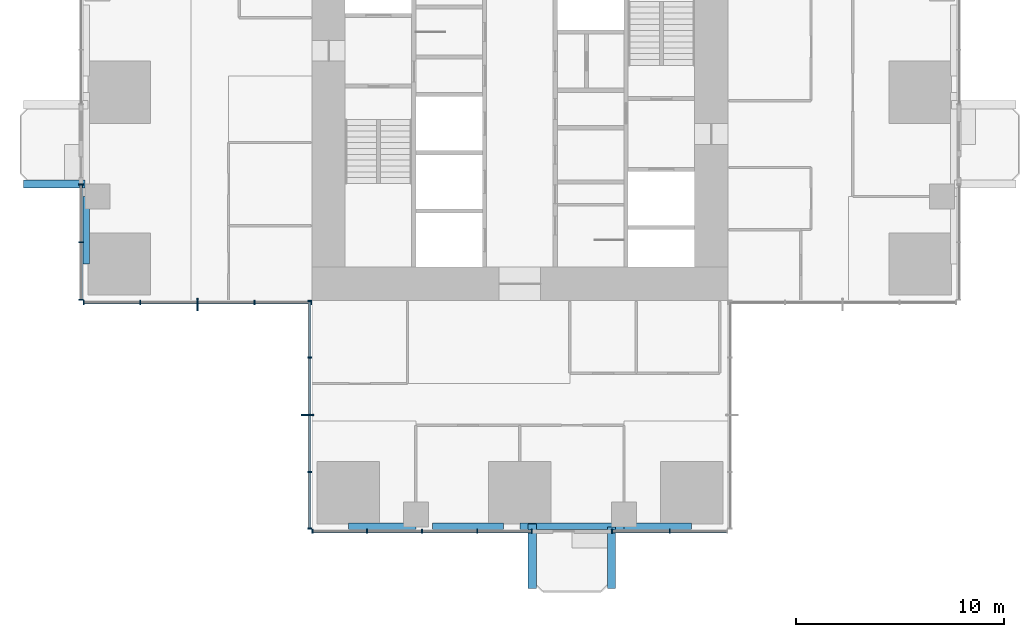
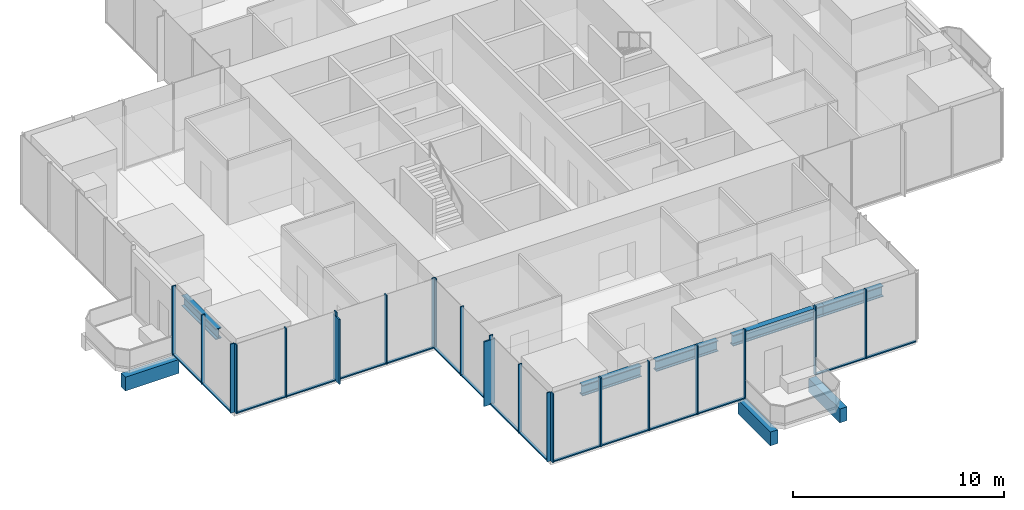
# One storey, part 2 of 13: 38 members, 8 beams, 5 elements without a shape of their own.
"""IFC4 building model written with IfcOpenShell, lengths in metres."""

from ifc_helpers import new_model, si_unit, direction, frame, origin, origin_2d, place, context, subcontext, project, spatial, rectangle, i_section, extrude, material, material_profile, profile_set, type_object, element, aggregate, save


model = new_model("IFC4")

# Units and contexts
model_context = context("Model", 3, precision=1e-05, world=origin(), true_north=direction((0.0, 1.0)))
body_context = subcontext(model_context, "Body", "Model", "MODEL_VIEW")
ifc_project = project(units=[si_unit("LENGTHUNIT", "METRE"), si_unit("AREAUNIT", "SQUARE_METRE"), si_unit("VOLUMEUNIT", "CUBIC_METRE"), si_unit("PLANEANGLEUNIT", "RADIAN"), si_unit("MASSUNIT", "GRAM", prefix="KILO")], contexts=[model_context])

# Site, building, storey
site_placement = place(None, origin())
site = spatial("IfcSite", under=ifc_project, at=site_placement, CompositionType="ELEMENT")
building_placement = place(site_placement, origin())
building = spatial("IfcBuilding", under=site, at=building_placement, Name="Svetlomir Tower", CompositionType="ELEMENT")
storey_placement = place(building_placement, frame((0.0, 0.0, 120.5)))
storey = spatial("IfcBuildingStorey", under=building, at=storey_placement, Name="L28", CompositionType="ELEMENT", Elevation=120.5)

# Beams
ifc_material_1 = material(Name="Concrete C60/75", Category="concrete")
ifc_material_profile_1 = material_profile(ifc_material_1, rectangle(XDim=0.39990234375, YDim=0.800048828125, at=origin_2d()), Name="RC 400x800")
ifc_profile_set_1 = profile_set([ifc_material_profile_1], Name="Concrete C60/75")
beam_type_1 = type_object("IfcBeamType", Name="BALCONY RIB RC 400x800", PredefinedType="BEAM", material=ifc_profile_set_1)
beam_1_placement = place(storey_placement, frame((21.60009765625, 0.25, -0.64990234375), z_axis=(0.0, -1.0, 0.0), x_axis=(1.0, 0.0, 0.0)))
element("IfcBeam", 1, at=beam_1_placement, inside=storey, type_object=beam_type_1, Name="Balcony rib S 1 L28", PredefinedType="BEAM", context=body_context, shape_type="SweptSolid", body=[
    extrude(rectangle(XDim=0.39990234375, YDim=0.800048828125, at=origin_2d()), origin(), (0.0, 0.0, 1.0), 3.10009765625),
])
for number, where, z_axis, x_axis, name in (
    (2, (25.39990234375, 0.10009765625, -0.64990234375), (0.0, -1.0, 0.0), (1.0, 0.0, 0.0), "Balcony rib S 2 L28"),
    (3, (0.10009765625, 16.60009765625, -0.64990234375), (-1.0, 0.0, 0.0), (0.0, -1.0, 0.0), "Balcony rib W 1 L28"),
):
    element("IfcBeam", number, at=place(storey_placement, frame(where, z_axis=z_axis, x_axis=x_axis)), inside=storey, type_object=beam_type_1, Name=name, PredefinedType="BEAM", context=body_context, shape_type="SweptSolid", body=[
        extrude(rectangle(XDim=0.39990234375, YDim=0.800048828125, at=origin_2d()), origin(), (0.0, 0.0, 1.0), 2.9501953125),
    ])

# Curtain wall, member
ifc_material_2 = material(Name="Bronze anodised aluminium curtain wall", Category="aluminium")
curtain_wall_type = type_object("IfcCurtainWallType", Name="CURTAIN WALL CW1 TOWER OFFICE", PredefinedType="NOTDEFINED", material=ifc_material_2)
curtain_wall_1_placement = place(storey_placement, origin())
curtain_wall_1 = element("IfcCurtainWall", 4, at=curtain_wall_1_placement, inside=storey, type_object=curtain_wall_type, Name="Curtain wall CW1 L28", PredefinedType="NOTDEFINED")
ifc_material_3 = material(Name="Bronze anodised aluminium", Category="aluminium")
ifc_material_profile_2 = material_profile(ifc_material_3, rectangle(XDim=0.080078125, YDim=0.60009765625, at=origin_2d()), Name="FIN 80x600")
ifc_profile_set_2 = profile_set([ifc_material_profile_2], Name="Bronze anodised aluminium 6063-T6")
member_type_1 = type_object("IfcMemberType", Name="BRONZE FIN 80x600", PredefinedType="USERDEFINED", material=ifc_profile_set_2)
member_1_placement = place(storey_placement, frame((5.5, 10.800048828125, 0.0), z_axis=(0.0, 0.0, 1.0), x_axis=(1.0, 0.0, 0.0)))
member_1 = element("IfcMember", 5, at=member_1_placement, type_object=member_type_1, Name="Bronze fin L28", ObjectType="FIN", PredefinedType="USERDEFINED", context=body_context, shape_type="SweptSolid", body=[
    extrude(rectangle(XDim=0.080078125, YDim=0.60009765625, at=origin_2d()), origin(), (0.0, 0.0, 1.0), 3.75),
])

curtain_wall_2_placement = place(storey_placement, origin())
curtain_wall_2 = element("IfcCurtainWall", 6, at=curtain_wall_2_placement, inside=storey, type_object=curtain_wall_type, Name="Curtain wall CW1 L28", PredefinedType="NOTDEFINED")
member_2_placement = place(storey_placement, frame((10.800048828125, 5.5, 0.0), z_axis=(0.0, 0.0, 1.0), x_axis=(0.0, 1.0, 0.0)))
member_2 = element("IfcMember", 7, at=member_2_placement, type_object=member_type_1, Name="Bronze fin L28", ObjectType="FIN", PredefinedType="USERDEFINED", context=body_context, shape_type="SweptSolid", body=[
    extrude(rectangle(XDim=0.080078125, YDim=0.60009765625, at=origin_2d()), origin(), (0.0, 0.0, 1.0), 3.75),
])

# Curtain wall, members
curtain_wall_3_placement = place(storey_placement, origin())
curtain_wall_3 = element("IfcCurtainWall", 8, at=curtain_wall_3_placement, inside=storey, type_object=curtain_wall_type, Name="Curtain wall CW1 L28", PredefinedType="NOTDEFINED")
ifc_material_4 = material(Name="Bronze anodised aluminium", Category="aluminium")
ifc_material_profile_3 = material_profile(ifc_material_4, rectangle(XDim=0.06494140625, YDim=0.199951171875, at=origin_2d()), Name="AL 65x200")
ifc_profile_set_3 = profile_set([ifc_material_profile_3], Name="Bronze anodised aluminium 6063-T6")
member_type_2 = type_object("IfcMemberType", Name="CW1 MULLION 65x200", PredefinedType="MULLION", material=ifc_profile_set_3)
member_3_placement = place(storey_placement, frame((11.032470703125, -0.10009765625, 0.0), z_axis=(0.0, 0.0, 1.0), x_axis=(1.0, 0.0, 0.0)))
member_3 = element("IfcMember", 9, at=member_3_placement, type_object=member_type_2, Name="CW1 mullion 1", PredefinedType="MULLION", context=body_context, shape_type="SweptSolid", body=[
    extrude(rectangle(XDim=0.06494140625, YDim=0.199951171875, at=origin_2d()), origin(), (0.0, 0.0, 1.0), 4.0),
])
member_4_placement = place(storey_placement, frame((13.64990234375, -0.10009765625, 0.0), z_axis=(0.0, 0.0, 1.0), x_axis=(1.0, 0.0, 0.0)))
member_4 = element("IfcMember", 10, at=member_4_placement, type_object=member_type_2, Name="CW1 mullion 2", PredefinedType="MULLION", context=body_context, shape_type="SweptSolid", body=[
    extrude(rectangle(XDim=0.06494140625, YDim=0.199951171875, at=origin_2d()), origin(), (0.0, 0.0, 1.0), 4.0),
])
member_5_placement = place(storey_placement, frame((16.300048828125, -0.10009765625, 0.0), z_axis=(0.0, 0.0, 1.0), x_axis=(1.0, 0.0, 0.0)))
member_5 = element("IfcMember", 11, at=member_5_placement, type_object=member_type_2, Name="CW1 mullion 3", PredefinedType="MULLION", context=body_context, shape_type="SweptSolid", body=[
    extrude(rectangle(XDim=0.06494140625, YDim=0.199951171875, at=origin_2d()), origin(), (0.0, 0.0, 1.0), 4.0),
])
member_6_placement = place(storey_placement, frame((18.949951171875, -0.10009765625, 0.0), z_axis=(0.0, 0.0, 1.0), x_axis=(1.0, 0.0, 0.0)))
member_6 = element("IfcMember", 12, at=member_6_placement, type_object=member_type_2, Name="CW1 mullion 4", PredefinedType="MULLION", context=body_context, shape_type="SweptSolid", body=[
    extrude(rectangle(XDim=0.06494140625, YDim=0.199951171875, at=origin_2d()), origin(), (0.0, 0.0, 1.0), 4.0),
])
member_7_placement = place(storey_placement, frame((21.5673828125, -0.10009765625, 0.0), z_axis=(0.0, 0.0, 1.0), x_axis=(1.0, 0.0, 0.0)))
member_7 = element("IfcMember", 13, at=member_7_placement, type_object=member_type_2, Name="CW1 mullion 5", PredefinedType="MULLION", context=body_context, shape_type="SweptSolid", body=[
    extrude(rectangle(XDim=0.06494140625, YDim=0.199951171875, at=origin_2d()), origin(), (0.0, 0.0, 1.0), 4.0),
])

curtain_wall_4_placement = place(storey_placement, origin())
curtain_wall_4 = element("IfcCurtainWall", 14, at=curtain_wall_4_placement, inside=storey, type_object=curtain_wall_type, Name="Curtain wall CW1 L28", PredefinedType="NOTDEFINED")
member_8_placement = place(storey_placement, frame((25.4326171875, -0.10009765625, 0.0), z_axis=(0.0, 0.0, 1.0), x_axis=(1.0, 0.0, 0.0)))
member_8 = element("IfcMember", 15, at=member_8_placement, type_object=member_type_2, Name="CW1 mullion 1", PredefinedType="MULLION", context=body_context, shape_type="SweptSolid", body=[
    extrude(rectangle(XDim=0.06494140625, YDim=0.199951171875, at=origin_2d()), origin(), (0.0, 0.0, 1.0), 4.0),
])
member_9_placement = place(storey_placement, frame((28.199951171875, -0.10009765625, 0.0), z_axis=(0.0, 0.0, 1.0), x_axis=(1.0, 0.0, 0.0)))
member_9 = element("IfcMember", 16, at=member_9_placement, type_object=member_type_2, Name="CW1 mullion 2", PredefinedType="MULLION", context=body_context, shape_type="SweptSolid", body=[
    extrude(rectangle(XDim=0.06494140625, YDim=0.199951171875, at=origin_2d()), origin(), (0.0, 0.0, 1.0), 4.0),
])

curtain_wall_5_placement = place(storey_placement, origin())
curtain_wall_5 = element("IfcCurtainWall", 17, at=curtain_wall_5_placement, inside=storey, type_object=curtain_wall_type, Name="Curtain wall CW1 L28", PredefinedType="NOTDEFINED")
member_10_placement = place(storey_placement, frame((-0.10009765625, 16.5673828125, 0.0), z_axis=(0.0, 0.0, 1.0), x_axis=(0.0, -1.0, 0.0)))
member_10 = element("IfcMember", 18, at=member_10_placement, type_object=member_type_2, Name="CW1 mullion 1", PredefinedType="MULLION", context=body_context, shape_type="SweptSolid", body=[
    extrude(rectangle(XDim=0.06494140625, YDim=0.199951171875, at=origin_2d()), origin(), (0.0, 0.0, 1.0), 4.0),
])
member_11_placement = place(storey_placement, frame((-0.10009765625, 13.800048828125, 0.0), z_axis=(0.0, 0.0, 1.0), x_axis=(0.0, -1.0, 0.0)))
member_11 = element("IfcMember", 19, at=member_11_placement, type_object=member_type_2, Name="CW1 mullion 2", PredefinedType="MULLION", context=body_context, shape_type="SweptSolid", body=[
    extrude(rectangle(XDim=0.06494140625, YDim=0.199951171875, at=origin_2d()), origin(), (0.0, 0.0, 1.0), 4.0),
])
member_12_placement = place(storey_placement, frame((-0.10009765625, 11.032470703125, 0.0), z_axis=(0.0, 0.0, 1.0), x_axis=(0.0, -1.0, 0.0)))
member_12 = element("IfcMember", 20, at=member_12_placement, type_object=member_type_2, Name="CW1 mullion 3", PredefinedType="MULLION", context=body_context, shape_type="SweptSolid", body=[
    extrude(rectangle(XDim=0.06494140625, YDim=0.199951171875, at=origin_2d()), origin(), (0.0, 0.0, 1.0), 4.0),
])

# Member
member_13_placement = place(storey_placement, frame((0.032470703125, 10.89990234375, 0.0), z_axis=(0.0, 0.0, 1.0), x_axis=(1.0, 0.0, 0.0)))
member_13 = element("IfcMember", 21, at=member_13_placement, type_object=member_type_2, Name="CW1 mullion 1", PredefinedType="MULLION", context=body_context, shape_type="SweptSolid", body=[
    extrude(rectangle(XDim=0.06494140625, YDim=0.199951171875, at=origin_2d()), origin(), (0.0, 0.0, 1.0), 4.0),
])

member_14_placement = place(storey_placement, frame((2.75, 10.89990234375, 0.0), z_axis=(0.0, 0.0, 1.0), x_axis=(1.0, 0.0, 0.0)))
member_14 = element("IfcMember", 22, at=member_14_placement, type_object=member_type_2, Name="CW1 mullion 2", PredefinedType="MULLION", context=body_context, shape_type="SweptSolid", body=[
    extrude(rectangle(XDim=0.06494140625, YDim=0.199951171875, at=origin_2d()), origin(), (0.0, 0.0, 1.0), 4.0),
])

member_15_placement = place(storey_placement, frame((5.5, 10.89990234375, 0.0), z_axis=(0.0, 0.0, 1.0), x_axis=(1.0, 0.0, 0.0)))
member_15 = element("IfcMember", 23, at=member_15_placement, type_object=member_type_2, Name="CW1 mullion 3", PredefinedType="MULLION", context=body_context, shape_type="SweptSolid", body=[
    extrude(rectangle(XDim=0.06494140625, YDim=0.199951171875, at=origin_2d()), origin(), (0.0, 0.0, 1.0), 4.0),
])

member_16_placement = place(storey_placement, frame((8.25, 10.89990234375, 0.0), z_axis=(0.0, 0.0, 1.0), x_axis=(1.0, 0.0, 0.0)))
member_16 = element("IfcMember", 24, at=member_16_placement, type_object=member_type_2, Name="CW1 mullion 4", PredefinedType="MULLION", context=body_context, shape_type="SweptSolid", body=[
    extrude(rectangle(XDim=0.06494140625, YDim=0.199951171875, at=origin_2d()), origin(), (0.0, 0.0, 1.0), 4.0),
])

member_17_placement = place(storey_placement, frame((10.967529296875, 10.89990234375, 0.0), z_axis=(0.0, 0.0, 1.0), x_axis=(1.0, 0.0, 0.0)))
member_17 = element("IfcMember", 25, at=member_17_placement, type_object=member_type_2, Name="CW1 mullion 5", PredefinedType="MULLION", context=body_context, shape_type="SweptSolid", body=[
    extrude(rectangle(XDim=0.06494140625, YDim=0.199951171875, at=origin_2d()), origin(), (0.0, 0.0, 1.0), 4.0),
])

member_18_placement = place(storey_placement, frame((10.89990234375, 10.967529296875, 0.0), z_axis=(0.0, 0.0, 1.0), x_axis=(0.0, -1.0, 0.0)))
member_18 = element("IfcMember", 26, at=member_18_placement, type_object=member_type_2, Name="CW1 mullion 1", PredefinedType="MULLION", context=body_context, shape_type="SweptSolid", body=[
    extrude(rectangle(XDim=0.06494140625, YDim=0.199951171875, at=origin_2d()), origin(), (0.0, 0.0, 1.0), 4.0),
])

member_19_placement = place(storey_placement, frame((10.89990234375, 8.25, 0.0), z_axis=(0.0, 0.0, 1.0), x_axis=(0.0, -1.0, 0.0)))
member_19 = element("IfcMember", 27, at=member_19_placement, type_object=member_type_2, Name="CW1 mullion 2", PredefinedType="MULLION", context=body_context, shape_type="SweptSolid", body=[
    extrude(rectangle(XDim=0.06494140625, YDim=0.199951171875, at=origin_2d()), origin(), (0.0, 0.0, 1.0), 4.0),
])

member_20_placement = place(storey_placement, frame((10.89990234375, 5.5, 0.0), z_axis=(0.0, 0.0, 1.0), x_axis=(0.0, -1.0, 0.0)))
member_20 = element("IfcMember", 28, at=member_20_placement, type_object=member_type_2, Name="CW1 mullion 3", PredefinedType="MULLION", context=body_context, shape_type="SweptSolid", body=[
    extrude(rectangle(XDim=0.06494140625, YDim=0.199951171875, at=origin_2d()), origin(), (0.0, 0.0, 1.0), 4.0),
])

member_21_placement = place(storey_placement, frame((10.89990234375, 2.75, 0.0), z_axis=(0.0, 0.0, 1.0), x_axis=(0.0, -1.0, 0.0)))
member_21 = element("IfcMember", 29, at=member_21_placement, type_object=member_type_2, Name="CW1 mullion 4", PredefinedType="MULLION", context=body_context, shape_type="SweptSolid", body=[
    extrude(rectangle(XDim=0.06494140625, YDim=0.199951171875, at=origin_2d()), origin(), (0.0, 0.0, 1.0), 4.0),
])

member_22_placement = place(storey_placement, frame((10.89990234375, 0.032470703125, 0.0), z_axis=(0.0, 0.0, 1.0), x_axis=(0.0, -1.0, 0.0)))
member_22 = element("IfcMember", 30, at=member_22_placement, type_object=member_type_2, Name="CW1 mullion 5", PredefinedType="MULLION", context=body_context, shape_type="SweptSolid", body=[
    extrude(rectangle(XDim=0.06494140625, YDim=0.199951171875, at=origin_2d()), origin(), (0.0, 0.0, 1.0), 4.0),
])

ifc_material_5 = material(Name="Bronze anodised aluminium", Category="aluminium")
ifc_material_profile_4 = material_profile(ifc_material_5, rectangle(XDim=0.139892578125, YDim=0.06494140625, at=origin_2d()), Name="AL 140x65")
ifc_profile_set_4 = profile_set([ifc_material_profile_4], Name="Bronze anodised aluminium 6063-T6")
member_type_3 = type_object("IfcMemberType", Name="CW1 TRANSOM 65x140", PredefinedType="USERDEFINED", material=ifc_profile_set_4)
member_23_placement = place(storey_placement, frame((11.06494140625, -0.10009765625, 0.032470703125), z_axis=(1.0, 0.0, 0.0), x_axis=(0.0, 1.0, 0.0)))
member_23 = element("IfcMember", 31, at=member_23_placement, type_object=member_type_3, Name="CW1 transom 1.1", ObjectType="TRANSOM", PredefinedType="USERDEFINED", context=body_context, shape_type="SweptSolid", body=[
    extrude(rectangle(XDim=0.139892578125, YDim=0.06494140625, at=origin_2d()), origin(), (0.0, 0.0, 1.0), 2.552490234375),
])

member_24_placement = place(storey_placement, frame((13.6826171875, -0.10009765625, 0.032470703125), z_axis=(1.0, 0.0, 0.0), x_axis=(0.0, 1.0, 0.0)))
member_24 = element("IfcMember", 32, at=member_24_placement, type_object=member_type_3, Name="CW1 transom 2.1", ObjectType="TRANSOM", PredefinedType="USERDEFINED", context=body_context, shape_type="SweptSolid", body=[
    extrude(rectangle(XDim=0.139892578125, YDim=0.06494140625, at=origin_2d()), origin(), (0.0, 0.0, 1.0), 2.5849609375),
])

member_25_placement = place(storey_placement, frame((16.33251953125, -0.10009765625, 0.032470703125), z_axis=(1.0, 0.0, 0.0), x_axis=(0.0, 1.0, 0.0)))
member_25 = element("IfcMember", 33, at=member_25_placement, type_object=member_type_3, Name="CW1 transom 3.1", ObjectType="TRANSOM", PredefinedType="USERDEFINED", context=body_context, shape_type="SweptSolid", body=[
    extrude(rectangle(XDim=0.139892578125, YDim=0.06494140625, at=origin_2d()), origin(), (0.0, 0.0, 1.0), 2.5849609375),
])

member_26_placement = place(storey_placement, frame((18.982421875, -0.10009765625, 0.032470703125), z_axis=(1.0, 0.0, 0.0), x_axis=(0.0, 1.0, 0.0)))
member_26 = element("IfcMember", 34, at=member_26_placement, type_object=member_type_3, Name="CW1 transom 4.1", ObjectType="TRANSOM", PredefinedType="USERDEFINED", context=body_context, shape_type="SweptSolid", body=[
    extrude(rectangle(XDim=0.139892578125, YDim=0.06494140625, at=origin_2d()), origin(), (0.0, 0.0, 1.0), 2.552490234375),
])

aggregate(curtain_wall_3, [member_3, member_4, member_5, member_6, member_7, member_23, member_24, member_25, member_26])

member_27_placement = place(storey_placement, frame((25.465087890625, -0.10009765625, 0.032470703125), z_axis=(1.0, 0.0, 0.0), x_axis=(0.0, 1.0, 0.0)))
member_27 = element("IfcMember", 35, at=member_27_placement, type_object=member_type_3, Name="CW1 transom 1.1", ObjectType="TRANSOM", PredefinedType="USERDEFINED", context=body_context, shape_type="SweptSolid", body=[
    extrude(rectangle(XDim=0.139892578125, YDim=0.06494140625, at=origin_2d()), origin(), (0.0, 0.0, 1.0), 2.702392578125),
])

member_28_placement = place(storey_placement, frame((28.232421875, -0.10009765625, 0.032470703125), z_axis=(1.0, 0.0, 0.0), x_axis=(0.0, 1.0, 0.0)))
member_28 = element("IfcMember", 36, at=member_28_placement, type_object=member_type_3, Name="CW1 transom 2.1", ObjectType="TRANSOM", PredefinedType="USERDEFINED", context=body_context, shape_type="SweptSolid", body=[
    extrude(rectangle(XDim=0.139892578125, YDim=0.06494140625, at=origin_2d()), origin(), (0.0, 0.0, 1.0), 2.70263671875),
])

aggregate(curtain_wall_4, [member_8, member_9, member_27, member_28])

member_29_placement = place(storey_placement, frame((-0.10009765625, 16.534912109375, 0.032470703125), z_axis=(0.0, -1.0, 0.0), x_axis=(1.0, 0.0, 0.0)))
member_29 = element("IfcMember", 37, at=member_29_placement, type_object=member_type_3, Name="CW1 transom 1.1", ObjectType="TRANSOM", PredefinedType="USERDEFINED", context=body_context, shape_type="SweptSolid", body=[
    extrude(rectangle(XDim=0.139892578125, YDim=0.06494140625, at=origin_2d()), origin(), (0.0, 0.0, 1.0), 2.702392578125),
])

member_30_placement = place(storey_placement, frame((-0.10009765625, 13.767578125, 0.032470703125), z_axis=(0.0, -1.0, 0.0), x_axis=(1.0, 0.0, 0.0)))
member_30 = element("IfcMember", 38, at=member_30_placement, type_object=member_type_3, Name="CW1 transom 2.1", ObjectType="TRANSOM", PredefinedType="USERDEFINED", context=body_context, shape_type="SweptSolid", body=[
    extrude(rectangle(XDim=0.139892578125, YDim=0.06494140625, at=origin_2d()), origin(), (0.0, 0.0, 1.0), 2.70263671875),
])

aggregate(curtain_wall_5, [member_10, member_11, member_12, member_29, member_30])

member_31_placement = place(storey_placement, frame((0.06494140625, 10.89990234375, 0.032470703125), z_axis=(1.0, 0.0, 0.0), x_axis=(0.0, 1.0, 0.0)))
member_31 = element("IfcMember", 39, at=member_31_placement, type_object=member_type_3, Name="CW1 transom 1.1", ObjectType="TRANSOM", PredefinedType="USERDEFINED", context=body_context, shape_type="SweptSolid", body=[
    extrude(rectangle(XDim=0.139892578125, YDim=0.06494140625, at=origin_2d()), origin(), (0.0, 0.0, 1.0), 2.652587890625),
])

member_32_placement = place(storey_placement, frame((2.782470703125, 10.89990234375, 0.032470703125), z_axis=(1.0, 0.0, 0.0), x_axis=(0.0, 1.0, 0.0)))
member_32 = element("IfcMember", 40, at=member_32_placement, type_object=member_type_3, Name="CW1 transom 2.1", ObjectType="TRANSOM", PredefinedType="USERDEFINED", context=body_context, shape_type="SweptSolid", body=[
    extrude(rectangle(XDim=0.139892578125, YDim=0.06494140625, at=origin_2d()), origin(), (0.0, 0.0, 1.0), 2.68505859375),
])

member_33_placement = place(storey_placement, frame((5.532470703125, 10.89990234375, 0.032470703125), z_axis=(1.0, 0.0, 0.0), x_axis=(0.0, 1.0, 0.0)))
member_33 = element("IfcMember", 41, at=member_33_placement, type_object=member_type_3, Name="CW1 transom 3.1", ObjectType="TRANSOM", PredefinedType="USERDEFINED", context=body_context, shape_type="SweptSolid", body=[
    extrude(rectangle(XDim=0.139892578125, YDim=0.06494140625, at=origin_2d()), origin(), (0.0, 0.0, 1.0), 2.68505859375),
])

member_34_placement = place(storey_placement, frame((8.282470703125, 10.89990234375, 0.032470703125), z_axis=(1.0, 0.0, 0.0), x_axis=(0.0, 1.0, 0.0)))
member_34 = element("IfcMember", 42, at=member_34_placement, type_object=member_type_3, Name="CW1 transom 4.1", ObjectType="TRANSOM", PredefinedType="USERDEFINED", context=body_context, shape_type="SweptSolid", body=[
    extrude(rectangle(XDim=0.139892578125, YDim=0.06494140625, at=origin_2d()), origin(), (0.0, 0.0, 1.0), 2.652587890625),
])

aggregate(curtain_wall_1, [member_13, member_14, member_15, member_16, member_17, member_31, member_32, member_33, member_34, member_1])

member_35_placement = place(storey_placement, frame((10.89990234375, 10.93505859375, 0.032470703125), z_axis=(0.0, -1.0, 0.0), x_axis=(1.0, 0.0, 0.0)))
member_35 = element("IfcMember", 43, at=member_35_placement, type_object=member_type_3, Name="CW1 transom 1.1", ObjectType="TRANSOM", PredefinedType="USERDEFINED", context=body_context, shape_type="SweptSolid", body=[
    extrude(rectangle(XDim=0.139892578125, YDim=0.06494140625, at=origin_2d()), origin(), (0.0, 0.0, 1.0), 2.652587890625),
])

member_36_placement = place(storey_placement, frame((10.89990234375, 8.217529296875, 0.032470703125), z_axis=(0.0, -1.0, 0.0), x_axis=(1.0, 0.0, 0.0)))
member_36 = element("IfcMember", 44, at=member_36_placement, type_object=member_type_3, Name="CW1 transom 2.1", ObjectType="TRANSOM", PredefinedType="USERDEFINED", context=body_context, shape_type="SweptSolid", body=[
    extrude(rectangle(XDim=0.139892578125, YDim=0.06494140625, at=origin_2d()), origin(), (0.0, 0.0, 1.0), 2.68505859375),
])

member_37_placement = place(storey_placement, frame((10.89990234375, 5.467529296875, 0.032470703125), z_axis=(0.0, -1.0, 0.0), x_axis=(1.0, 0.0, 0.0)))
member_37 = element("IfcMember", 45, at=member_37_placement, type_object=member_type_3, Name="CW1 transom 3.1", ObjectType="TRANSOM", PredefinedType="USERDEFINED", context=body_context, shape_type="SweptSolid", body=[
    extrude(rectangle(XDim=0.139892578125, YDim=0.06494140625, at=origin_2d()), origin(), (0.0, 0.0, 1.0), 2.68505859375),
])

member_38_placement = place(storey_placement, frame((10.89990234375, 2.717529296875, 0.032470703125), z_axis=(0.0, -1.0, 0.0), x_axis=(1.0, 0.0, 0.0)))
member_38 = element("IfcMember", 46, at=member_38_placement, type_object=member_type_3, Name="CW1 transom 4.1", ObjectType="TRANSOM", PredefinedType="USERDEFINED", context=body_context, shape_type="SweptSolid", body=[
    extrude(rectangle(XDim=0.139892578125, YDim=0.06494140625, at=origin_2d()), origin(), (0.0, 0.0, 1.0), 2.652587890625),
])

aggregate(curtain_wall_2, [member_18, member_19, member_20, member_21, member_22, member_35, member_36, member_37, member_38, member_2])

# Beams
ifc_material_6 = material(Name="Steel S355", Category="steel")
ifc_material_profile_5 = material_profile(ifc_material_6, i_section(OverallWidth=0.304931640625, OverallDepth=0.6201171875, WebThickness=0.02099609375, FlangeThickness=0.0400390625, FilletRadius=0.027099609375, at=origin_2d()), Name="HEM 600")
ifc_profile_set_5 = profile_set([ifc_material_profile_5], Name="Steel S355")
beam_type_2 = type_object("IfcBeamType", Name="EDGE BEAM HEM 600", PredefinedType="SPANDREL", material=ifc_profile_set_5)
for number, where, z_axis, x_axis, name in (
    (47, (12.75, 0.152587890625, 3.43994140625), (1.0, 0.0, 0.0), (0.0, 1.0, 0.0), "Edge beam 11/0 to 16/0 under L29"),
    (48, (0.152587890625, 12.75, 3.43994140625), (0.0, 1.0, 0.0), (-1.0, 0.0, 0.0), "Edge beam 0/11 to 0/16 under L29"),
):
    element("IfcBeam", number, at=place(storey_placement, frame(where, z_axis=z_axis, x_axis=x_axis)), inside=storey, type_object=beam_type_2, Name=name, PredefinedType="SPANDREL", context=body_context, shape_type="SweptSolid", body=[
        extrude(i_section(OverallWidth=0.304931640625, OverallDepth=0.6201171875, WebThickness=0.02099609375, FlangeThickness=0.0400390625, FilletRadius=0.027099609375, at=origin_2d()), origin(), (0.0, 0.0, 1.0), 3.25),
    ])
beam_2_placement = place(storey_placement, frame((16.800048828125, 0.152587890625, 3.43994140625), z_axis=(1.0, 0.0, 0.0), x_axis=(0.0, 1.0, 0.0)))
element("IfcBeam", 49, at=beam_2_placement, inside=storey, type_object=beam_type_2, Name="Edge beam 16/0 to 21/0 under L29", PredefinedType="SPANDREL", context=body_context, shape_type="SweptSolid", body=[
    extrude(i_section(OverallWidth=0.304931640625, OverallDepth=0.6201171875, WebThickness=0.02099609375, FlangeThickness=0.0400390625, FilletRadius=0.027099609375, at=origin_2d()), origin(), (0.0, 0.0, 1.0), 3.39990234375),
])
beam_3_placement = place(storey_placement, frame((21.0, 0.152587890625, 3.43994140625), z_axis=(1.0, 0.0, 0.0), x_axis=(0.0, 1.0, 0.0)))
element("IfcBeam", 50, at=beam_3_placement, inside=storey, type_object=beam_type_2, Name="Edge beam 21/0 to 26/0 under L29", PredefinedType="SPANDREL", context=body_context, shape_type="SweptSolid", body=[
    extrude(i_section(OverallWidth=0.304931640625, OverallDepth=0.6201171875, WebThickness=0.02099609375, FlangeThickness=0.0400390625, FilletRadius=0.027099609375, at=origin_2d()), origin(), (0.0, 0.0, 1.0), 5.0),
])
beam_4_placement = place(storey_placement, frame((26.0, 0.152587890625, 3.43994140625), z_axis=(1.0, 0.0, 0.0), x_axis=(0.0, 1.0, 0.0)))
element("IfcBeam", 51, at=beam_4_placement, inside=storey, type_object=beam_type_2, Name="Edge beam 26/0 to 31/0 under L29", PredefinedType="SPANDREL", context=body_context, shape_type="SweptSolid", body=[
    extrude(i_section(OverallWidth=0.304931640625, OverallDepth=0.6201171875, WebThickness=0.02099609375, FlangeThickness=0.0400390625, FilletRadius=0.027099609375, at=origin_2d()), origin(), (0.0, 0.0, 1.0), 3.25),
])

save(model, "model.ifc")
